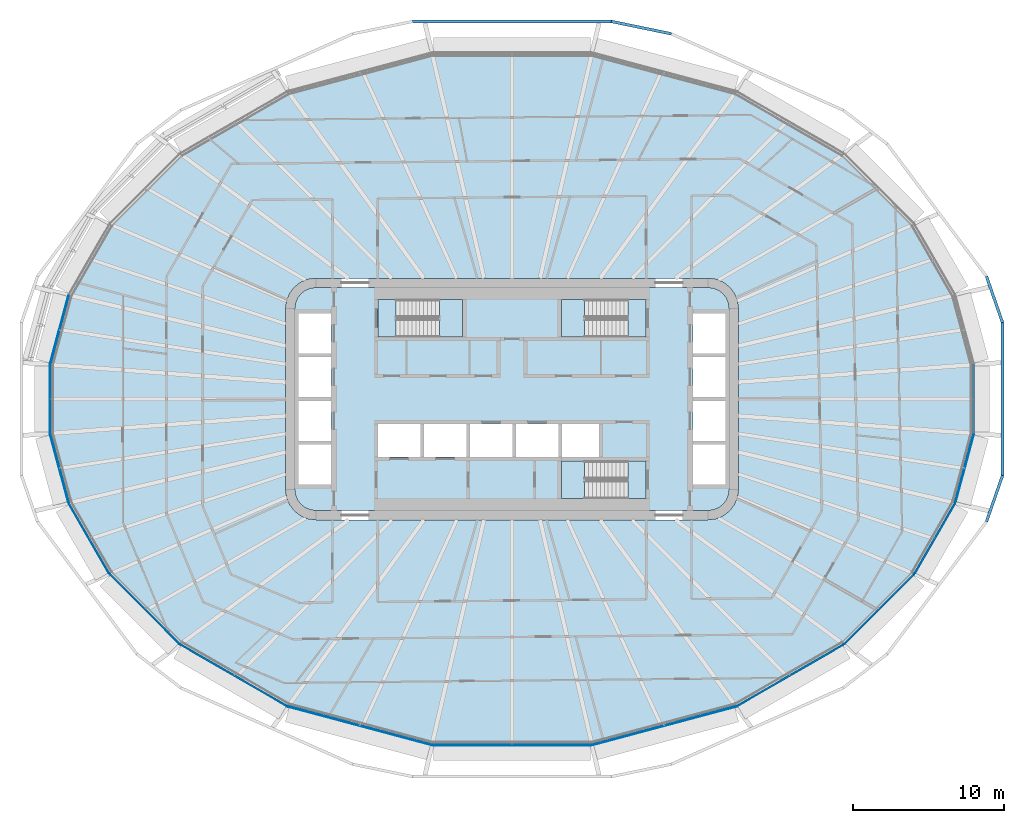
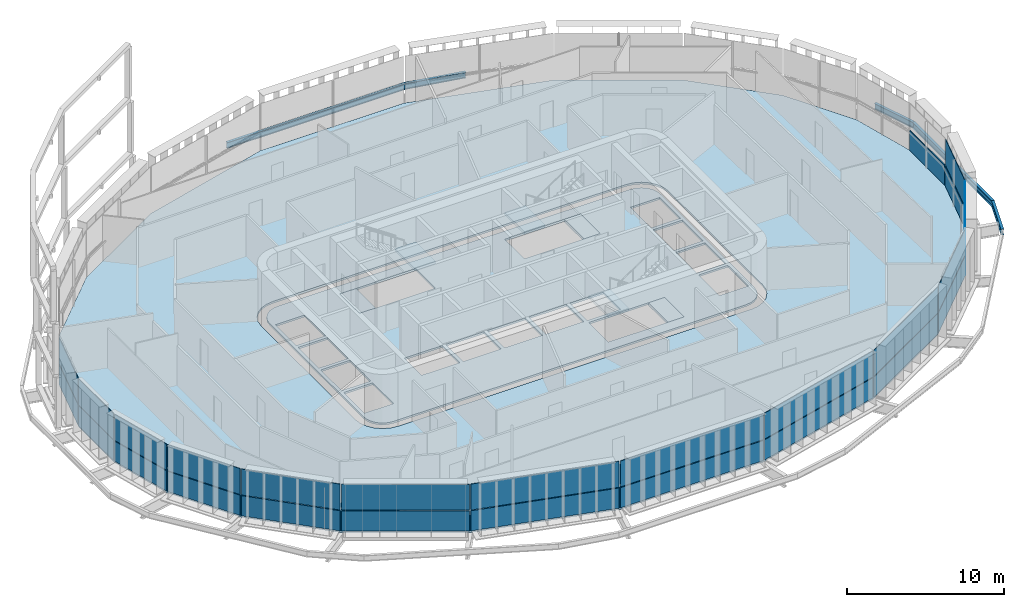
# One storey, part 11 of 24: 27 plates, 8 slabs, 5 beams, 17 elements without a shape of their own.
"""IFC4 building model written with IfcOpenShell, lengths in metres."""

from ifc_helpers import new_model, si_unit, direction, frame, origin, origin_2d, place, context, subcontext, project, spatial, polyline, i_section, outline, extrude, material, layer, layer_set, material_profile, profile_set, type_object, element, aggregate, save


model = new_model("IFC4")

# Units and contexts
model_context = context("Model", 3, precision=1e-05, world=origin(), true_north=direction((0.0, 1.0)))
body_context = subcontext(model_context, "Body", "Model", "MODEL_VIEW")
ifc_project = project(units=[si_unit("LENGTHUNIT", "METRE"), si_unit("AREAUNIT", "SQUARE_METRE"), si_unit("VOLUMEUNIT", "CUBIC_METRE"), si_unit("PLANEANGLEUNIT", "RADIAN"), si_unit("MASSUNIT", "GRAM", prefix="KILO")], contexts=[model_context])

# Site, building, storey
site_placement = place(None, origin())
site = spatial("IfcSite", under=ifc_project, at=site_placement, CompositionType="ELEMENT")
building_placement = place(site_placement, origin())
building = spatial("IfcBuilding", under=site, at=building_placement, Name="Sahrelin Media Tower", CompositionType="ELEMENT")
storey_placement = place(building_placement, frame((0.0, 0.0, 58.800048828125)))
storey = spatial("IfcBuildingStorey", under=building, at=storey_placement, Name="L09", CompositionType="ELEMENT", Elevation=58.800048828125)

# Beams
ifc_material_1 = material(Name="Steel S355", Category="steel")
ifc_material_profile = material_profile(ifc_material_1, i_section(OverallWidth=0.1904296875, OverallDepth=0.45703125, WebThickness=0.009033203125, FlangeThickness=0.014404296875, FilletRadius=0.01025390625, at=origin_2d()), Name="UB 457x191x74")
ifc_profile_set = profile_set([ifc_material_profile], Name="Steel S355")
beam_type = type_object("IfcBeamType", Name="Tie chord TC5", PredefinedType="BEAM", material=ifc_profile_set)
beam_1_placement = place(storey_placement, frame((32.506103515625, 5.06396484375, -0.378662109375), z_axis=(-0.328766059116, 0.944411392547, 0.0), x_axis=(-0.944411392547, -0.328766059116, 0.0)))
element("IfcBeam", 1, at=beam_1_placement, inside=storey, type_object=beam_type, Name="Tie chord L09-01", PredefinedType="BEAM", context=body_context, shape_type="SweptSolid", body=[
    extrude(i_section(OverallWidth=0.1904296875, OverallDepth=0.45703125, WebThickness=0.009033203125, FlangeThickness=0.014404296875, FilletRadius=0.01025390625, at=origin_2d()), origin(), (0.0, 0.0, 1.0), 3.24072265625),
])
beam_2_placement = place(storey_placement, frame((10.55517578125, 24.19970703125, -0.378662109375), z_axis=(-0.979385716401, 0.201999055716, 0.0), x_axis=(-0.201999055716, -0.979385716401, 0.0)))
element("IfcBeam", 2, at=beam_2_placement, inside=storey, type_object=beam_type, Name="Tie chord L09-05", PredefinedType="BEAM", context=body_context, shape_type="SweptSolid", body=[
    extrude(i_section(OverallWidth=0.1904296875, OverallDepth=0.45703125, WebThickness=0.009033203125, FlangeThickness=0.014404296875, FilletRadius=0.01025390625, at=origin_2d()), origin(), (0.0, 0.0, 1.0), 4.059814453125),
])
beam_3_placement = place(storey_placement, frame((6.5791015625, 25.019775390625, -0.378662109375), z_axis=(-1.0, 0.0, 0.0), x_axis=(0.0, -1.0, 0.0)))
element("IfcBeam", 3, at=beam_3_placement, inside=storey, type_object=beam_type, Name="Tie chord L09-06", PredefinedType="BEAM", context=body_context, shape_type="SweptSolid", body=[
    extrude(i_section(OverallWidth=0.1904296875, OverallDepth=0.45703125, WebThickness=0.009033203125, FlangeThickness=0.014404296875, FilletRadius=0.01025390625, at=origin_2d()), origin(), (0.0, 0.0, 1.0), 13.158203125),
])
beam_4_placement = place(storey_placement, frame((31.440673828125, -8.12451171875, -0.378662109375), z_axis=(0.328766059116, 0.944411392547, 0.0), x_axis=(-0.944411392547, 0.328766059116, 0.0)))
element("IfcBeam", 4, at=beam_4_placement, inside=storey, type_object=beam_type, Name="Tie chord L09-23", PredefinedType="BEAM", context=body_context, shape_type="SweptSolid", body=[
    extrude(i_section(OverallWidth=0.1904296875, OverallDepth=0.45703125, WebThickness=0.009033203125, FlangeThickness=0.014404296875, FilletRadius=0.01025390625, at=origin_2d()), origin(), (0.0, 0.0, 1.0), 3.24072265625),
])
beam_5_placement = place(storey_placement, frame((32.506103515625, -5.06396484375, -0.378662109375), z_axis=(0.0, 1.0, 0.0), x_axis=(-1.0, 0.0, 0.0)))
element("IfcBeam", 5, at=beam_5_placement, inside=storey, type_object=beam_type, Name="Tie chord L09-24", PredefinedType="BEAM", context=body_context, shape_type="SweptSolid", body=[
    extrude(i_section(OverallWidth=0.1904296875, OverallDepth=0.45703125, WebThickness=0.009033203125, FlangeThickness=0.014404296875, FilletRadius=0.01025390625, at=origin_2d()), origin(), (0.0, 0.0, 1.0), 10.1279296875),
])

# Slabs
ifc_material_2 = material(Name="Concrete C40/50", Category="concrete")
ifc_layer_1 = layer(ifc_material_2, 0.14990234375)
ifc_layer_set_1 = layer_set([ifc_layer_1], Name="Composite floor slab 150")
slab_type_1 = type_object("IfcSlabType", Name="Composite floor slab 150", PredefinedType="FLOOR", material=ifc_layer_set_1)
placement_1 = place(storey_placement, frame((0.0, 0.0, -0.150146484375)))
element("IfcSlab", 6, at=placement_1, inside=storey, type_object=slab_type_1, Name="Floor slab L09", PredefinedType="FLOOR", context=body_context, shape_type="SweptSolid", body=[
    extrude(outline(polyline([(30.598388671875, -2.2783203125), (30.598388671875, 2.2783203125), (29.36474609375, 6.88232421875), (26.651123046875, 11.582275390625), (21.98388671875, 16.24951171875), (14.85107421875, 20.36767578125), (5.306640625, 22.925048828125), (-5.306640625, 22.925048828125), (-14.85107421875, 20.36767578125), (-21.98388671875, 16.24951171875), (-26.651123046875, 11.582275390625), (-29.36474609375, 6.88232421875), (-30.598388671875, 2.2783203125), (-30.598388671875, -2.2783203125), (-29.36474609375, -6.88232421875), (-26.651123046875, -11.582275390625), (-21.98388671875, -16.24951171875), (-14.85107421875, -20.36767578125), (-5.306640625, -22.925048828125), (5.306640625, -22.925048828125), (14.85107421875, -20.36767578125), (21.98388671875, -16.24951171875), (26.651123046875, -11.582275390625), (29.36474609375, -6.88232421875), (30.598388671875, -2.2783203125)]), holes=[polyline([(14.931884765625, 6.517578125), (15.0, 6.0), (15.0, -6.0), (14.931884765625, -6.517578125), (14.732177734375, -7.0), (14.414306640625, -7.414306640625), (14.0, -7.732177734375), (13.517578125, -7.931884765625), (13.0, -8.0), (-13.0, -8.0), (-13.517578125, -7.931884765625), (-14.0, -7.732177734375), (-14.414306640625, -7.414306640625), (-14.732177734375, -7.0), (-14.931884765625, -6.517578125), (-15.0, -6.0), (-15.0, 6.0), (-14.931884765625, 6.517578125), (-14.732177734375, 7.0), (-14.414306640625, 7.414306640625), (-14.0, 7.732177734375), (-13.517578125, 7.931884765625), (-13.0, 8.0), (13.0, 8.0), (13.517578125, 7.931884765625), (14.0, 7.732177734375), (14.414306640625, 7.414306640625), (14.732177734375, 7.0), (14.931884765625, 6.517578125)])]), origin(), (0.0, 0.0, 1.0), 0.150146484375),
])
ifc_layer_2 = layer(ifc_material_2, 0.14990234375)
ifc_layer_set_2 = layer_set([ifc_layer_2], Name="Core floor slab 150")
slab_type_2 = type_object("IfcSlabType", Name="Core floor slab 150", PredefinedType="FLOOR", material=ifc_layer_set_2)
element("IfcSlab", 7, at=placement_1, inside=storey, type_object=slab_type_2, Name="Core floor", PredefinedType="FLOOR", context=body_context, shape_type="SweptSolid", body=[
    extrude(outline(polyline([(-14.347412109375, 6.361083984375), (-14.39990234375, 5.960693359375), (-14.39990234375, -5.960693359375), (-14.347412109375, -6.361083984375), (-14.2080078125, -6.697509765625), (-13.986328125, -6.986328125), (-13.697509765625, -7.2080078125), (-13.361083984375, -7.347412109375), (-12.960693359375, -7.39990234375), (12.960693359375, -7.39990234375), (13.361083984375, -7.347412109375), (13.697509765625, -7.2080078125), (13.986328125, -6.986328125), (14.2080078125, -6.697509765625), (14.347412109375, -6.361083984375), (14.39990234375, -5.960693359375), (14.39990234375, 5.960693359375), (14.347412109375, 6.361083984375), (14.2080078125, 6.697509765625), (13.986328125, 6.986328125), (13.697509765625, 7.2080078125), (13.361083984375, 7.347412109375), (12.960693359375, 7.39990234375), (-12.960693359375, 7.39990234375), (-13.361083984375, 7.347412109375), (-13.697509765625, 7.2080078125), (-13.986328125, 6.986328125), (-14.2080078125, 6.697509765625), (-14.347412109375, 6.361083984375)]), holes=[polyline([(-12.0, 3.02490234375), (-12.0, 5.675048828125), (-14.14990234375, 5.675048828125), (-14.14990234375, 3.02490234375), (-12.0, 3.02490234375)]), polyline([(-14.14990234375, 0.125), (-12.0, 0.125), (-12.0, 2.77490234375), (-14.14990234375, 2.77490234375), (-14.14990234375, 0.125)]), polyline([(-14.14990234375, -0.125), (-14.14990234375, -2.77490234375), (-12.0, -2.77490234375), (-12.0, -0.125), (-14.14990234375, -0.125)]), polyline([(-12.0, -3.02490234375), (-14.14990234375, -3.02490234375), (-14.14990234375, -5.675048828125), (-12.0, -5.675048828125), (-12.0, -3.02490234375)]), polyline([(14.14990234375, 3.02490234375), (14.14990234375, 5.675048828125), (12.0, 5.675048828125), (12.0, 3.02490234375), (14.14990234375, 3.02490234375)]), polyline([(12.0, 0.125), (14.14990234375, 0.125), (14.14990234375, 2.77490234375), (12.0, 2.77490234375), (12.0, 0.125)]), polyline([(12.0, -0.125), (12.0, -2.77490234375), (14.14990234375, -2.77490234375), (14.14990234375, -0.125), (12.0, -0.125)]), polyline([(14.14990234375, -3.02490234375), (12.0, -3.02490234375), (12.0, -5.675048828125), (14.14990234375, -5.675048828125), (14.14990234375, -3.02490234375)]), polyline([(-6.074951171875, -3.85009765625), (-6.074951171875, -1.64990234375), (-8.875, -1.64990234375), (-8.875, -3.85009765625), (-6.074951171875, -3.85009765625)]), polyline([(-5.824951171875, -3.85009765625), (-3.02490234375, -3.85009765625), (-3.02490234375, -1.64990234375), (-5.824951171875, -1.64990234375), (-5.824951171875, -3.85009765625)]), polyline([(-2.77490234375, -1.64990234375), (-2.77490234375, -3.85009765625), (0.02490234375, -3.85009765625), (0.02490234375, -1.64990234375), (-2.77490234375, -1.64990234375)]), polyline([(3.074951171875, -1.64990234375), (0.27490234375, -1.64990234375), (0.27490234375, -3.85009765625), (3.074951171875, -3.85009765625), (3.074951171875, -1.64990234375)]), polyline([(5.77490234375, -3.85009765625), (5.77490234375, -1.64990234375), (3.324951171875, -1.64990234375), (3.324951171875, -3.85009765625), (5.77490234375, -3.85009765625)]), polyline([(-8.875, 6.60009765625), (-8.875, 4.10009765625), (-3.27490234375, 4.10009765625), (-3.27490234375, 6.60009765625), (-8.875, 6.60009765625)]), polyline([(3.27490234375, 4.10009765625), (8.875, 4.10009765625), (8.875, 6.60009765625), (3.27490234375, 6.60009765625), (3.27490234375, 4.10009765625)]), polyline([(3.27490234375, -4.10009765625), (3.27490234375, -6.60009765625), (8.875, -6.60009765625), (8.875, -4.10009765625), (3.27490234375, -4.10009765625)])]), origin(), (0.0, 0.0, 1.0), 0.150146484375),
])

# Curtain wall, plate
ifc_material_3 = material(Name="Champagne anodised aluminium 6063-T6", Category="aluminium")
ifc_layer_3 = layer(ifc_material_3, 0.14990234375)
ifc_layer_set_3 = layer_set([ifc_layer_3], Name="Tower ribbon curtain wall")
curtain_wall_type = type_object("IfcCurtainWallType", Name="Tower ribbon curtain wall", PredefinedType="NOTDEFINED", material=ifc_layer_set_3)
curtain_wall_1_placement = place(storey_placement, frame((-30.0009765625, 4.58544921875, 0.0), z_axis=(0.0, 0.0, 1.0), x_axis=(1.0, 0.0, 0.0)))
curtain_wall_1 = element("IfcCurtainWall", 8, at=curtain_wall_1_placement, inside=storey, type_object=curtain_wall_type, Name="L09:CW:L09-11", PredefinedType="NOTDEFINED")
ifc_material_4 = material(Name="Clear low-iron glazing", Category="glass")
ifc_layer_4 = layer(ifc_material_4, 0.0400390625)
ifc_layer_set_4 = layer_set([ifc_layer_4], Name="Glazing panel 40 mm CW1")
plate_type_1 = type_object("IfcPlateType", Name="Glazing panel 40 mm CW1", PredefinedType="CURTAIN_PANEL", material=ifc_layer_set_4)
plate_1_placement = place(storey_placement, frame((-29.415771484375, 6.846923828125, 1.6298828125), z_axis=(-0.965932422878, 0.258794425044, 0.0), x_axis=(-0.258794425044, -0.965932422878, 0.0)))
plate_1 = element("IfcPlate", 9, at=plate_1_placement, type_object=plate_type_1, Name="L09:CWP2:L09-11", PredefinedType="CURTAIN_PANEL", context=body_context, shape_type="SweptSolid", body=[
    extrude(outline(polyline([(0.0, 0.0), (4.671630859375, 0.0), (4.671630859375, 2.0185546875), (0.0, 2.0185546875), (0.0, 0.0)])), origin(), (0.0, 0.0, -1.0), 0.0400390625),
])

curtain_wall_2_placement = place(storey_placement, frame((-30.618408203125, 0.0, 0.0), z_axis=(0.0, 0.0, 1.0), x_axis=(1.0, 0.0, 0.0)))
curtain_wall_2 = element("IfcCurtainWall", 10, at=curtain_wall_2_placement, inside=storey, type_object=curtain_wall_type, Name="L09:CW:L09-12", PredefinedType="NOTDEFINED")
plate_2_placement = place(storey_placement, frame((-30.638427734375, 2.23095703125, 1.6298828125), z_axis=(-1.0, 0.0, 0.0), x_axis=(0.0, -1.0, 0.0)))
plate_2 = element("IfcPlate", 11, at=plate_2_placement, type_object=plate_type_1, Name="L09:CWP2:L09-12", PredefinedType="CURTAIN_PANEL", context=body_context, shape_type="SweptSolid", body=[
    extrude(outline(polyline([(0.0, 0.0), (4.4619140625, 0.0), (4.4619140625, 2.0185546875), (0.0, 2.0185546875), (0.0, 0.0)])), origin(), (0.0, 0.0, -1.0), 0.0400390625),
])

curtain_wall_3_placement = place(storey_placement, frame((-30.0009765625, -4.58544921875, 0.0), z_axis=(0.0, 0.0, 1.0), x_axis=(1.0, 0.0, 0.0)))
curtain_wall_3 = element("IfcCurtainWall", 12, at=curtain_wall_3_placement, inside=storey, type_object=curtain_wall_type, Name="L09:CW:L09-13", PredefinedType="NOTDEFINED")
plate_3_placement = place(storey_placement, frame((-30.624755859375, -2.33447265625, 1.6298828125), z_axis=(-0.965932422878, -0.258794425044, 0.0), x_axis=(0.258794425044, -0.965932422878, 0.0)))
plate_3 = element("IfcPlate", 13, at=plate_3_placement, type_object=plate_type_1, Name="L09:CWP2:L09-13", PredefinedType="CURTAIN_PANEL", context=body_context, shape_type="SweptSolid", body=[
    extrude(outline(polyline([(0.0, 0.0), (4.671630859375, 0.0), (4.671630859375, 2.0185546875), (0.0, 2.0185546875), (0.0, 0.0)])), origin(), (0.0, 0.0, -1.0), 0.0400390625),
])

curtain_wall_4_placement = place(storey_placement, frame((-28.025390625, -9.2421875, 0.0), z_axis=(0.0, 0.0, 1.0), x_axis=(1.0, 0.0, 0.0)))
curtain_wall_4 = element("IfcCurtainWall", 14, at=curtain_wall_4_placement, inside=storey, type_object=curtain_wall_type, Name="L09:CW:L09-14", PredefinedType="NOTDEFINED")
plate_4_placement = place(storey_placement, frame((-29.375732421875, -6.943359375, 1.6298828125), z_axis=(-0.866017083794, -0.500014410368, 0.0), x_axis=(0.500014410368, -0.866017083794, 0.0)))
plate_4 = element("IfcPlate", 15, at=plate_4_placement, type_object=plate_type_1, Name="L09:CWP2:L09-14", PredefinedType="CURTAIN_PANEL", context=body_context, shape_type="SweptSolid", body=[
    extrude(outline(polyline([(0.0, 0.0), (5.332275390625, 0.0), (5.332275390625, 2.0185546875), (0.0, 2.0185546875), (0.0, 0.0)])), origin(), (0.0, 0.0, -1.0), 0.0400390625),
])

curtain_wall_5_placement = place(storey_placement, frame((-24.331787109375, -13.929931640625, 0.0), z_axis=(0.0, 0.0, 1.0), x_axis=(1.0, 0.0, 0.0)))
curtain_wall_5 = element("IfcCurtainWall", 16, at=curtain_wall_5_placement, inside=storey, type_object=curtain_wall_type, Name="L09:CW:L09-15", PredefinedType="NOTDEFINED")
plate_5_placement = place(storey_placement, frame((-26.64599609375, -11.64404296875, 1.6298828125), z_axis=(-0.707106781187, -0.707106781187, 0.0), x_axis=(0.707106781187, -0.707106781187, 0.0)))
plate_5 = element("IfcPlate", 17, at=plate_5_placement, type_object=plate_type_1, Name="L09:CWP2:L09-15", PredefinedType="CURTAIN_PANEL", context=body_context, shape_type="SweptSolid", body=[
    extrude(outline(polyline([(0.0, 0.0), (6.505615234375, 0.0), (6.505615234375, 2.0185546875), (0.0, 2.0185546875), (0.0, 0.0)])), origin(), (0.0, 0.0, -1.0), 0.0400390625),
])

curtain_wall_6_placement = place(storey_placement, frame((-18.427490234375, -18.32568359375, 0.0), z_axis=(0.0, 0.0, 1.0), x_axis=(1.0, 0.0, 0.0)))
curtain_wall_6 = element("IfcCurtainWall", 18, at=curtain_wall_6_placement, inside=storey, type_object=curtain_wall_type, Name="L09:CW:L09-16", PredefinedType="NOTDEFINED")
plate_6_placement = place(storey_placement, frame((-21.962890625, -16.3076171875, 1.6298828125), z_axis=(-0.500025283505, -0.866010805854, 0.0), x_axis=(0.866010805854, -0.500025283505, 0.0)))
plate_6 = element("IfcPlate", 19, at=plate_6_placement, type_object=plate_type_1, Name="L09:CWP2:L09-16", PredefinedType="CURTAIN_PANEL", context=body_context, shape_type="SweptSolid", body=[
    extrude(outline(polyline([(0.0, 0.0), (8.1416015625, 0.0), (8.1416015625, 2.0185546875), (0.0, 2.0185546875), (0.0, 0.0)])), origin(), (0.0, 0.0, -1.0), 0.0400390625),
])

curtain_wall_7_placement = place(storey_placement, frame((-10.083984375, -21.665771484375, 0.0), z_axis=(0.0, 0.0, 1.0), x_axis=(1.0, 0.0, 0.0)))
curtain_wall_7 = element("IfcCurtainWall", 20, at=curtain_wall_7_placement, inside=storey, type_object=curtain_wall_type, Name="L09:CW:L09-17", PredefinedType="NOTDEFINED")
plate_7_placement = place(storey_placement, frame((-14.815673828125, -20.418701171875, 1.6298828125), z_axis=(-0.258802175009, -0.965930346459, 0.0), x_axis=(0.965930346459, -0.258802175009, 0.0)))
plate_7 = element("IfcPlate", 21, at=plate_7_placement, type_object=plate_type_1, Name="L09:CWP2:L09-17", PredefinedType="CURTAIN_PANEL", context=body_context, shape_type="SweptSolid", body=[
    extrude(outline(polyline([(0.0, 0.0), (9.786376953125, 0.0), (9.786376953125, 2.0185546875), (0.0, 2.0185546875), (0.0, 0.0)])), origin(), (0.0, 0.0, -1.0), 0.0400390625),
])

curtain_wall_8_placement = place(storey_placement, frame((0.0, -22.945068359375, 0.0), z_axis=(0.0, 0.0, 1.0), x_axis=(1.0, 0.0, 0.0)))
curtain_wall_8 = element("IfcCurtainWall", 22, at=curtain_wall_8_placement, inside=storey, type_object=curtain_wall_type, Name="L09:CW:L09-18", PredefinedType="NOTDEFINED")
plate_8_placement = place(storey_placement, frame((-5.25927734375, -22.965087890625, 1.6298828125), z_axis=(0.0, -1.0, 0.0), x_axis=(1.0, 0.0, 0.0)))
plate_8 = element("IfcPlate", 23, at=plate_8_placement, type_object=plate_type_1, Name="L09:CWP2:L09-18", PredefinedType="CURTAIN_PANEL", context=body_context, shape_type="SweptSolid", body=[
    extrude(outline(polyline([(0.0, 0.0), (10.5185546875, 0.0), (10.5185546875, 2.0185546875), (0.0, 2.0185546875), (0.0, 0.0)])), origin(), (0.0, 0.0, -1.0), 0.0400390625),
])

curtain_wall_9_placement = place(storey_placement, frame((10.083984375, -21.665771484375, 0.0), z_axis=(0.0, 0.0, 1.0), x_axis=(1.0, 0.0, 0.0)))
curtain_wall_9 = element("IfcCurtainWall", 24, at=curtain_wall_9_placement, inside=storey, type_object=curtain_wall_type, Name="L09:CW:L09-19", PredefinedType="NOTDEFINED")
plate_9_placement = place(storey_placement, frame((5.36279296875, -22.951416015625, 1.6298828125), z_axis=(0.258802175009, -0.965930346459, 0.0), x_axis=(0.965930346459, 0.258802175009, 0.0)))
plate_9 = element("IfcPlate", 25, at=plate_9_placement, type_object=plate_type_1, Name="L09:CWP2:L09-19", PredefinedType="CURTAIN_PANEL", context=body_context, shape_type="SweptSolid", body=[
    extrude(outline(polyline([(0.0, 0.0), (9.786376953125, 0.0), (9.786376953125, 2.0185546875), (0.0, 2.0185546875), (0.0, 0.0)])), origin(), (0.0, 0.0, -1.0), 0.0400390625),
])

curtain_wall_10_placement = place(storey_placement, frame((18.427490234375, -18.32568359375, 0.0), z_axis=(0.0, 0.0, 1.0), x_axis=(1.0, 0.0, 0.0)))
curtain_wall_10 = element("IfcCurtainWall", 26, at=curtain_wall_10_placement, inside=storey, type_object=curtain_wall_type, Name="L09:CW:L09-20", PredefinedType="NOTDEFINED")
plate_10_placement = place(storey_placement, frame((14.912109375, -20.378662109375, 1.6298828125), z_axis=(0.500025283505, -0.866010805854, 0.0), x_axis=(0.866010805854, 0.500025283505, 0.0)))
plate_10 = element("IfcPlate", 27, at=plate_10_placement, type_object=plate_type_1, Name="L09:CWP2:L09-20", PredefinedType="CURTAIN_PANEL", context=body_context, shape_type="SweptSolid", body=[
    extrude(outline(polyline([(0.0, 0.0), (8.1416015625, 0.0), (8.1416015625, 2.0185546875), (0.0, 2.0185546875), (0.0, 0.0)])), origin(), (0.0, 0.0, -1.0), 0.0400390625),
])

curtain_wall_11_placement = place(storey_placement, frame((24.331787109375, -13.929931640625, 0.0), z_axis=(0.0, 0.0, 1.0), x_axis=(1.0, 0.0, 0.0)))
curtain_wall_11 = element("IfcCurtainWall", 28, at=curtain_wall_11_placement, inside=storey, type_object=curtain_wall_type, Name="L09:CW:L09-21", PredefinedType="NOTDEFINED")
plate_11_placement = place(storey_placement, frame((22.0458984375, -16.244140625, 1.6298828125), z_axis=(0.707106781187, -0.707106781187, 0.0), x_axis=(0.707106781187, 0.707106781187, 0.0)))
plate_11 = element("IfcPlate", 29, at=plate_11_placement, type_object=plate_type_1, Name="L09:CWP2:L09-21", PredefinedType="CURTAIN_PANEL", context=body_context, shape_type="SweptSolid", body=[
    extrude(outline(polyline([(0.0, 0.0), (6.505615234375, 0.0), (6.505615234375, 2.0185546875), (0.0, 2.0185546875), (0.0, 0.0)])), origin(), (0.0, 0.0, -1.0), 0.0400390625),
])

curtain_wall_12_placement = place(storey_placement, frame((28.025390625, -9.2421875, 0.0), z_axis=(0.0, 0.0, 1.0), x_axis=(1.0, 0.0, 0.0)))
curtain_wall_12 = element("IfcCurtainWall", 30, at=curtain_wall_12_placement, inside=storey, type_object=curtain_wall_type, Name="L09:CW:L09-22", PredefinedType="NOTDEFINED")
plate_12_placement = place(storey_placement, frame((26.70947265625, -11.561279296875, 1.6298828125), z_axis=(0.866017083794, -0.500014410368, 0.0), x_axis=(0.500014410368, 0.866017083794, 0.0)))
plate_12 = element("IfcPlate", 31, at=plate_12_placement, type_object=plate_type_1, Name="L09:CWP2:L09-22", PredefinedType="CURTAIN_PANEL", context=body_context, shape_type="SweptSolid", body=[
    extrude(outline(polyline([(0.0, 0.0), (5.332275390625, 0.0), (5.332275390625, 2.0185546875), (0.0, 2.0185546875), (0.0, 0.0)])), origin(), (0.0, 0.0, -1.0), 0.0400390625),
])

curtain_wall_13_placement = place(storey_placement, frame((30.0009765625, -4.58544921875, 0.0), z_axis=(0.0, 0.0, 1.0), x_axis=(1.0, 0.0, 0.0)))
curtain_wall_13 = element("IfcCurtainWall", 32, at=curtain_wall_13_placement, inside=storey, type_object=curtain_wall_type, Name="L09:CW:L09-23", PredefinedType="NOTDEFINED")
plate_13_placement = place(storey_placement, frame((29.415771484375, -6.846923828125, 1.6298828125), z_axis=(0.965932422878, -0.258794425044, 0.0), x_axis=(0.258794425044, 0.965932422878, 0.0)))
plate_13 = element("IfcPlate", 33, at=plate_13_placement, type_object=plate_type_1, Name="L09:CWP2:L09-23", PredefinedType="CURTAIN_PANEL", context=body_context, shape_type="SweptSolid", body=[
    extrude(outline(polyline([(0.0, 0.0), (4.671630859375, 0.0), (4.671630859375, 2.0185546875), (0.0, 2.0185546875), (0.0, 0.0)])), origin(), (0.0, 0.0, -1.0), 0.0400390625),
])

curtain_wall_14_placement = place(storey_placement, frame((30.618408203125, 0.0, 0.0), z_axis=(0.0, 0.0, 1.0), x_axis=(1.0, 0.0, 0.0)))
curtain_wall_14 = element("IfcCurtainWall", 34, at=curtain_wall_14_placement, inside=storey, type_object=curtain_wall_type, Name="L09:CW:L09-00", PredefinedType="NOTDEFINED")
ifc_material_5 = material(Name="Insulated spandrel panel")
ifc_layer_5 = layer(ifc_material_5, 0.06005859375)
ifc_layer_set_5 = layer_set([ifc_layer_5], Name="Spandrel panel 60 mm CW1")
plate_type_2 = type_object("IfcPlateType", Name="Spandrel panel 60 mm CW1", PredefinedType="SHEET", material=ifc_layer_set_5)
plate_14_placement = place(storey_placement, frame((30.638427734375, -2.23095703125, 0.0), z_axis=(1.0, 0.0, 0.0), x_axis=(0.0, 1.0, 0.0)))
plate_14 = element("IfcPlate", 35, at=plate_14_placement, type_object=plate_type_2, Name="L09:CWP1:L09-00", PredefinedType="SHEET", context=body_context, shape_type="SweptSolid", body=[
    extrude(outline(polyline([(0.0, 0.0), (4.4619140625, 0.0), (4.4619140625, 1.570068359375), (0.0, 1.570068359375), (0.0, 0.0)])), origin(), (0.0, 0.0, -1.0), 0.06005859375),
])
aggregate(curtain_wall_14, [plate_14])

# Plate
plate_15_placement = place(storey_placement, frame((-29.415771484375, 6.846923828125, 0.0), z_axis=(-0.965932422878, 0.258794425044, 0.0), x_axis=(-0.258794425044, -0.965932422878, 0.0)))
plate_15 = element("IfcPlate", 36, at=plate_15_placement, type_object=plate_type_2, Name="L09:CWP1:L09-11", PredefinedType="SHEET", context=body_context, shape_type="SweptSolid", body=[
    extrude(outline(polyline([(0.0, 0.0), (4.671630859375, 0.0), (4.671630859375, 1.570068359375), (0.0, 1.570068359375), (0.0, 0.0)])), origin(), (0.0, 0.0, -1.0), 0.06005859375),
])

aggregate(curtain_wall_1, [plate_15, plate_1])

plate_16_placement = place(storey_placement, frame((-30.638427734375, 2.23095703125, 0.0), z_axis=(-1.0, 0.0, 0.0), x_axis=(0.0, -1.0, 0.0)))
plate_16 = element("IfcPlate", 37, at=plate_16_placement, type_object=plate_type_2, Name="L09:CWP1:L09-12", PredefinedType="SHEET", context=body_context, shape_type="SweptSolid", body=[
    extrude(outline(polyline([(0.0, 0.0), (4.4619140625, 0.0), (4.4619140625, 1.570068359375), (0.0, 1.570068359375), (0.0, 0.0)])), origin(), (0.0, 0.0, -1.0), 0.06005859375),
])

aggregate(curtain_wall_2, [plate_16, plate_2])

plate_17_placement = place(storey_placement, frame((-30.624755859375, -2.33447265625, 0.0), z_axis=(-0.965932422878, -0.258794425044, 0.0), x_axis=(0.258794425044, -0.965932422878, 0.0)))
plate_17 = element("IfcPlate", 38, at=plate_17_placement, type_object=plate_type_2, Name="L09:CWP1:L09-13", PredefinedType="SHEET", context=body_context, shape_type="SweptSolid", body=[
    extrude(outline(polyline([(0.0, 0.0), (4.671630859375, 0.0), (4.671630859375, 1.570068359375), (0.0, 1.570068359375), (0.0, 0.0)])), origin(), (0.0, 0.0, -1.0), 0.06005859375),
])

aggregate(curtain_wall_3, [plate_17, plate_3])

plate_18_placement = place(storey_placement, frame((-29.375732421875, -6.943359375, 0.0), z_axis=(-0.866017083794, -0.500014410368, 0.0), x_axis=(0.500014410368, -0.866017083794, 0.0)))
plate_18 = element("IfcPlate", 39, at=plate_18_placement, type_object=plate_type_2, Name="L09:CWP1:L09-14", PredefinedType="SHEET", context=body_context, shape_type="SweptSolid", body=[
    extrude(outline(polyline([(0.0, 0.0), (5.332275390625, 0.0), (5.332275390625, 1.570068359375), (0.0, 1.570068359375), (0.0, 0.0)])), origin(), (0.0, 0.0, -1.0), 0.06005859375),
])

aggregate(curtain_wall_4, [plate_18, plate_4])

plate_19_placement = place(storey_placement, frame((-26.64599609375, -11.64404296875, 0.0), z_axis=(-0.707106781187, -0.707106781187, 0.0), x_axis=(0.707106781187, -0.707106781187, 0.0)))
plate_19 = element("IfcPlate", 40, at=plate_19_placement, type_object=plate_type_2, Name="L09:CWP1:L09-15", PredefinedType="SHEET", context=body_context, shape_type="SweptSolid", body=[
    extrude(outline(polyline([(0.0, 0.0), (6.505615234375, 0.0), (6.505615234375, 1.570068359375), (0.0, 1.570068359375), (0.0, 0.0)])), origin(), (0.0, 0.0, -1.0), 0.06005859375),
])

aggregate(curtain_wall_5, [plate_19, plate_5])

plate_20_placement = place(storey_placement, frame((-21.962890625, -16.3076171875, 0.0), z_axis=(-0.500025283505, -0.866010805854, 0.0), x_axis=(0.866010805854, -0.500025283505, 0.0)))
plate_20 = element("IfcPlate", 41, at=plate_20_placement, type_object=plate_type_2, Name="L09:CWP1:L09-16", PredefinedType="SHEET", context=body_context, shape_type="SweptSolid", body=[
    extrude(outline(polyline([(0.0, 0.0), (8.1416015625, 0.0), (8.1416015625, 1.570068359375), (0.0, 1.570068359375), (0.0, 0.0)])), origin(), (0.0, 0.0, -1.0), 0.06005859375),
])

aggregate(curtain_wall_6, [plate_20, plate_6])

plate_21_placement = place(storey_placement, frame((-14.815673828125, -20.418701171875, 0.0), z_axis=(-0.258802175009, -0.965930346459, 0.0), x_axis=(0.965930346459, -0.258802175009, 0.0)))
plate_21 = element("IfcPlate", 42, at=plate_21_placement, type_object=plate_type_2, Name="L09:CWP1:L09-17", PredefinedType="SHEET", context=body_context, shape_type="SweptSolid", body=[
    extrude(outline(polyline([(0.0, 0.0), (9.786376953125, 0.0), (9.786376953125, 1.570068359375), (0.0, 1.570068359375), (0.0, 0.0)])), origin(), (0.0, 0.0, -1.0), 0.06005859375),
])

aggregate(curtain_wall_7, [plate_21, plate_7])

plate_22_placement = place(storey_placement, frame((-5.25927734375, -22.965087890625, 0.0), z_axis=(0.0, -1.0, 0.0), x_axis=(1.0, 0.0, 0.0)))
plate_22 = element("IfcPlate", 43, at=plate_22_placement, type_object=plate_type_2, Name="L09:CWP1:L09-18", PredefinedType="SHEET", context=body_context, shape_type="SweptSolid", body=[
    extrude(outline(polyline([(0.0, 0.0), (10.5185546875, 0.0), (10.5185546875, 1.570068359375), (0.0, 1.570068359375), (0.0, 0.0)])), origin(), (0.0, 0.0, -1.0), 0.06005859375),
])

aggregate(curtain_wall_8, [plate_22, plate_8])

plate_23_placement = place(storey_placement, frame((5.36279296875, -22.951416015625, 0.0), z_axis=(0.258802175009, -0.965930346459, 0.0), x_axis=(0.965930346459, 0.258802175009, 0.0)))
plate_23 = element("IfcPlate", 44, at=plate_23_placement, type_object=plate_type_2, Name="L09:CWP1:L09-19", PredefinedType="SHEET", context=body_context, shape_type="SweptSolid", body=[
    extrude(outline(polyline([(0.0, 0.0), (9.786376953125, 0.0), (9.786376953125, 1.570068359375), (0.0, 1.570068359375), (0.0, 0.0)])), origin(), (0.0, 0.0, -1.0), 0.06005859375),
])

aggregate(curtain_wall_9, [plate_23, plate_9])

plate_24_placement = place(storey_placement, frame((14.912109375, -20.378662109375, 0.0), z_axis=(0.500025283505, -0.866010805854, 0.0), x_axis=(0.866010805854, 0.500025283505, 0.0)))
plate_24 = element("IfcPlate", 45, at=plate_24_placement, type_object=plate_type_2, Name="L09:CWP1:L09-20", PredefinedType="SHEET", context=body_context, shape_type="SweptSolid", body=[
    extrude(outline(polyline([(0.0, 0.0), (8.1416015625, 0.0), (8.1416015625, 1.570068359375), (0.0, 1.570068359375), (0.0, 0.0)])), origin(), (0.0, 0.0, -1.0), 0.06005859375),
])

aggregate(curtain_wall_10, [plate_24, plate_10])

plate_25_placement = place(storey_placement, frame((22.0458984375, -16.244140625, 0.0), z_axis=(0.707106781187, -0.707106781187, 0.0), x_axis=(0.707106781187, 0.707106781187, 0.0)))
plate_25 = element("IfcPlate", 46, at=plate_25_placement, type_object=plate_type_2, Name="L09:CWP1:L09-21", PredefinedType="SHEET", context=body_context, shape_type="SweptSolid", body=[
    extrude(outline(polyline([(0.0, 0.0), (6.505615234375, 0.0), (6.505615234375, 1.570068359375), (0.0, 1.570068359375), (0.0, 0.0)])), origin(), (0.0, 0.0, -1.0), 0.06005859375),
])

aggregate(curtain_wall_11, [plate_25, plate_11])

plate_26_placement = place(storey_placement, frame((26.70947265625, -11.561279296875, 0.0), z_axis=(0.866017083794, -0.500014410368, 0.0), x_axis=(0.500014410368, 0.866017083794, 0.0)))
plate_26 = element("IfcPlate", 47, at=plate_26_placement, type_object=plate_type_2, Name="L09:CWP1:L09-22", PredefinedType="SHEET", context=body_context, shape_type="SweptSolid", body=[
    extrude(outline(polyline([(0.0, 0.0), (5.332275390625, 0.0), (5.332275390625, 1.570068359375), (0.0, 1.570068359375), (0.0, 0.0)])), origin(), (0.0, 0.0, -1.0), 0.06005859375),
])

aggregate(curtain_wall_12, [plate_26, plate_12])

plate_27_placement = place(storey_placement, frame((29.415771484375, -6.846923828125, 0.0), z_axis=(0.965932422878, -0.258794425044, 0.0), x_axis=(0.258794425044, 0.965932422878, 0.0)))
plate_27 = element("IfcPlate", 48, at=plate_27_placement, type_object=plate_type_2, Name="L09:CWP1:L09-23", PredefinedType="SHEET", context=body_context, shape_type="SweptSolid", body=[
    extrude(outline(polyline([(0.0, 0.0), (4.671630859375, 0.0), (4.671630859375, 1.570068359375), (0.0, 1.570068359375), (0.0, 0.0)])), origin(), (0.0, 0.0, -1.0), 0.06005859375),
])

aggregate(curtain_wall_13, [plate_27, plate_13])

# Stair, slabs
stair_type = type_object("IfcStairType", Name="Exit stair 1200", PredefinedType="HALF_TURN_STAIR", material=ifc_material_2)
placement_2 = place(storey_placement, origin())
stair_1 = element("IfcStair", 49, at=placement_2, inside=storey, type_object=stair_type, Name="L09 Exit stair ST1", PredefinedType="HALF_TURN_STAIR")
ifc_layer_6 = layer(ifc_material_2, 0.199951171875)
ifc_layer_set_6 = layer_set([ifc_layer_6], Name="Stair landing 200")
slab_type_3 = type_object("IfcSlabType", Name="Stair landing 200", PredefinedType="LANDING", material=ifc_layer_set_6)
placement_3 = place(storey_placement, frame((0.0, 0.0, 1.89990234375)))
slab_3 = element("IfcSlab", 50, at=placement_3, type_object=slab_type_3, Name="ST1 landing 1", PredefinedType="LANDING", context=body_context, shape_type="SweptSolid", body=[
    extrude(outline(polyline([(-4.81494140625, 4.10009765625), (-3.27490234375, 4.10009765625), (-3.27490234375, 6.60009765625), (-4.81494140625, 6.60009765625), (-4.81494140625, 4.10009765625)])), origin(), (0.0, 0.0, 1.0), 0.199951171875),
])
placement_4 = place(storey_placement, frame((0.0, 0.0, -0.199951171875)))
slab_4 = element("IfcSlab", 51, at=placement_4, type_object=slab_type_3, Name="ST1 landing 2", PredefinedType="LANDING", context=body_context, shape_type="SweptSolid", body=[
    extrude(outline(polyline([(-8.875, 4.10009765625), (-7.675048828125, 4.10009765625), (-7.675048828125, 6.60009765625), (-8.875, 6.60009765625), (-8.875, 4.10009765625)])), origin(), (0.0, 0.0, 1.0), 0.199951171875),
])
aggregate(stair_1, [slab_3, slab_4])

stair_2 = element("IfcStair", 52, at=placement_2, inside=storey, type_object=stair_type, Name="L09 Exit stair ST3", PredefinedType="HALF_TURN_STAIR")
slab_5 = element("IfcSlab", 53, at=placement_3, type_object=slab_type_3, Name="ST3 landing 1", PredefinedType="LANDING", context=body_context, shape_type="SweptSolid", body=[
    extrude(outline(polyline([(4.81494140625, 6.60009765625), (3.27490234375, 6.60009765625), (3.27490234375, 4.10009765625), (4.81494140625, 4.10009765625), (4.81494140625, 6.60009765625)])), origin(), (0.0, 0.0, 1.0), 0.199951171875),
])
slab_6 = element("IfcSlab", 54, at=placement_4, type_object=slab_type_3, Name="ST3 landing 2", PredefinedType="LANDING", context=body_context, shape_type="SweptSolid", body=[
    extrude(outline(polyline([(8.875, 6.60009765625), (7.675048828125, 6.60009765625), (7.675048828125, 4.10009765625), (8.875, 4.10009765625), (8.875, 6.60009765625)])), origin(), (0.0, 0.0, 1.0), 0.199951171875),
])
aggregate(stair_2, [slab_5, slab_6])

stair_3 = element("IfcStair", 55, at=placement_2, inside=storey, type_object=stair_type, Name="L09 Exit stair ST2", PredefinedType="HALF_TURN_STAIR")
slab_7 = element("IfcSlab", 56, at=placement_3, type_object=slab_type_3, Name="ST2 landing 1", PredefinedType="LANDING", context=body_context, shape_type="SweptSolid", body=[
    extrude(outline(polyline([(4.81494140625, -4.10009765625), (3.27490234375, -4.10009765625), (3.27490234375, -6.60009765625), (4.81494140625, -6.60009765625), (4.81494140625, -4.10009765625)])), origin(), (0.0, 0.0, 1.0), 0.199951171875),
])
slab_8 = element("IfcSlab", 57, at=placement_4, type_object=slab_type_3, Name="ST2 landing 2", PredefinedType="LANDING", context=body_context, shape_type="SweptSolid", body=[
    extrude(outline(polyline([(8.875, -4.10009765625), (7.675048828125, -4.10009765625), (7.675048828125, -6.60009765625), (8.875, -6.60009765625), (8.875, -4.10009765625)])), origin(), (0.0, 0.0, 1.0), 0.199951171875),
])
aggregate(stair_3, [slab_7, slab_8])

save(model, "model.ifc")
